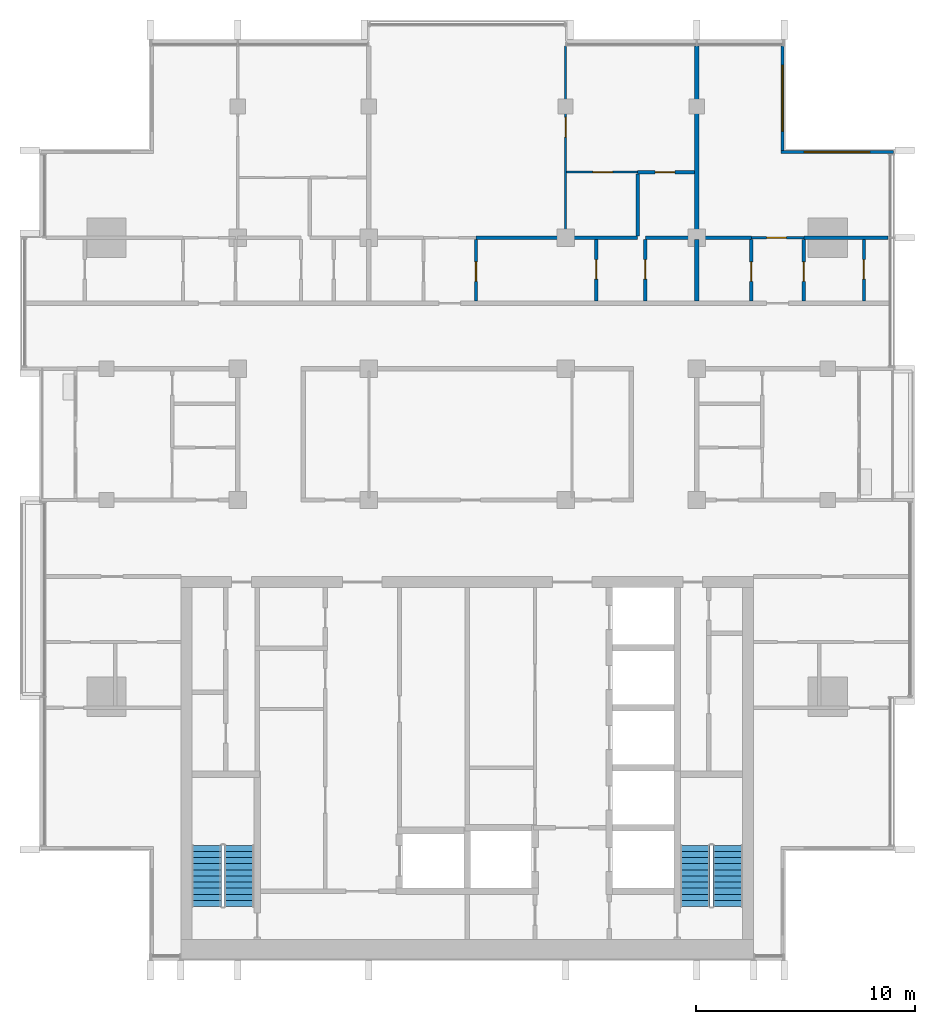
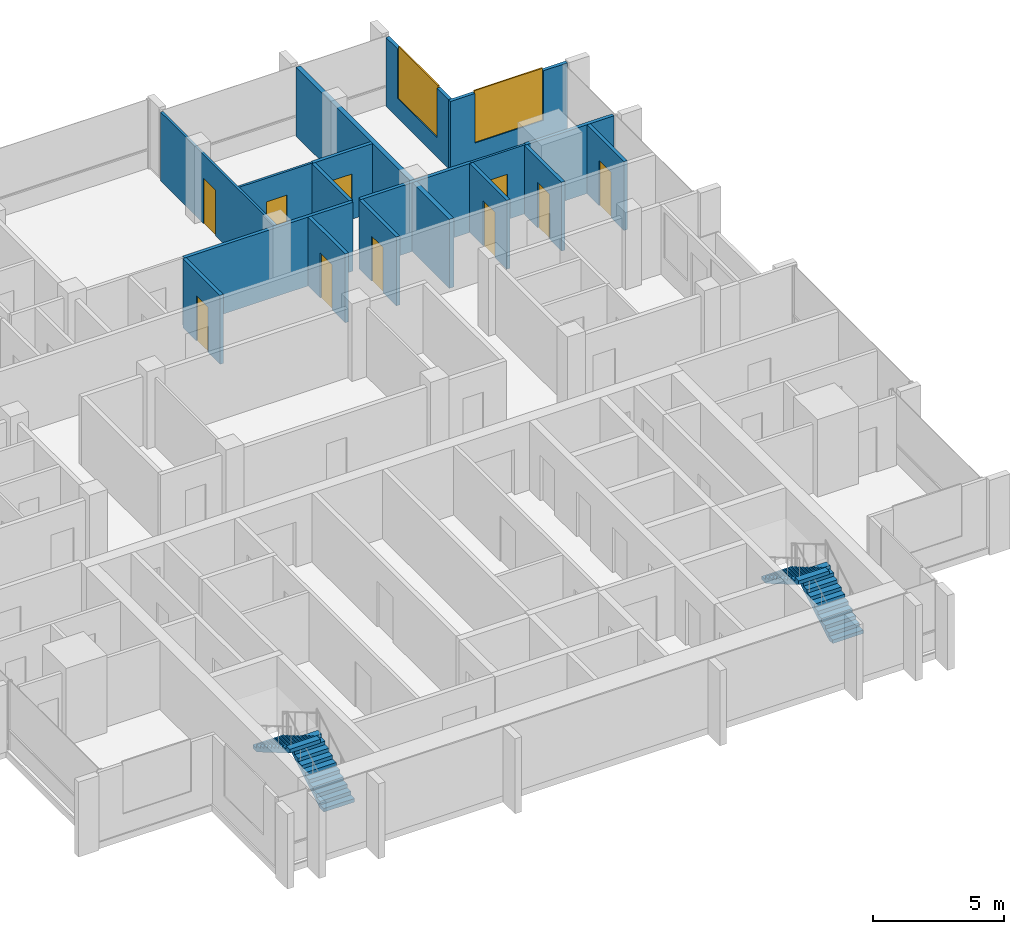
# One storey, part 11 of 16: 18 walls, 10 doors, 4 stair flights, 2 windows, 12 openings, 2 elements without a shape of their own.
"""IFC4 building model written with IfcOpenShell, lengths in metres."""

from ifc_helpers import new_model, si_unit, direction, frame, frame_2d, origin, place, context, subcontext, project, spatial, polyline, rectangle, outline, extrude, material, layer, layer_set, type_object, element, fill, aggregate, save


model = new_model("IFC4")

# Units and contexts
model_context = context("Model", 3, precision=1e-05, world=origin(), true_north=direction((0.0, 1.0)))
body_context = subcontext(model_context, "Body", "Model", "MODEL_VIEW")
ifc_project = project(units=[si_unit("LENGTHUNIT", "METRE"), si_unit("AREAUNIT", "SQUARE_METRE"), si_unit("VOLUMEUNIT", "CUBIC_METRE"), si_unit("PLANEANGLEUNIT", "RADIAN"), si_unit("MASSUNIT", "GRAM", prefix="KILO")], contexts=[model_context])

# Site, building, storey
site_placement = place(None, origin())
site = spatial("IfcSite", under=ifc_project, at=site_placement, CompositionType="ELEMENT")
building_placement = place(site_placement, origin())
building = spatial("IfcBuilding", under=site, at=building_placement, Name="Finial Court Residences", CompositionType="ELEMENT")
storey_placement = place(building_placement, frame((0.0, 0.0, 295.10009765625)))
storey = spatial("IfcBuildingStorey", under=building, at=storey_placement, Name="L75", CompositionType="ELEMENT", Elevation=295.10009765625)

# Walls
ifc_material_1 = material(Name="Gypsum board")
ifc_layer_1 = layer(ifc_material_1, 0.02490234375)
ifc_material_2 = material(Name="Acoustic mineral wool in double frame")
ifc_layer_2 = layer(ifc_material_2, 0.14990234375)
ifc_layer_3 = layer(ifc_material_1, 0.02490234375)
ifc_layer_set_1 = layer_set([ifc_layer_1, ifc_layer_2, ifc_layer_3], Name="Acoustic party wall 200, 1 hour")
wall_type_1 = type_object("IfcWallType", Name="Acoustic party wall 200, 1 hour", PredefinedType="PARTITIONING", material=ifc_layer_set_1)
wall_1_placement = place(storey_placement, frame((10.5, 4.60009765625, 0.0), z_axis=(0.0, 0.0, 1.0), x_axis=(0.0, 1.0, 0.0)))
element("IfcWall", 1, at=wall_1_placement, inside=storey, type_object=wall_type_1, Name="Partition L75-054", PredefinedType="PARTITIONING", context=body_context, shape_type="SweptSolid", body=[
    extrude(rectangle(XDim=2.824951171875, YDim=0.199951171875, at=frame_2d((1.41259765625, 0.0))), origin(), (0.0, 0.0, 1.0), 3.199951171875),
])
wall_2_placement = place(storey_placement, frame((10.5, 7.574951171875, 0.0), z_axis=(0.0, 0.0, 1.0), x_axis=(0.0, 1.0, 0.0)))
element("IfcWall", 2, at=wall_2_placement, inside=storey, type_object=wall_type_1, Name="Partition L75-055", PredefinedType="PARTITIONING", context=body_context, shape_type="SweptSolid", body=[
    extrude(rectangle(XDim=8.6875, YDim=0.199951171875, at=frame_2d((4.34375, 0.0))), origin(), (0.0, 0.0, 1.0), 3.199951171875),
])

# Wall, opening, door
ifc_layer_4 = layer(ifc_material_1, 0.012451171875)
ifc_material_3 = material(Name="Mineral wool in light-gauge frame")
ifc_layer_5 = layer(ifc_material_3, 0.074951171875)
ifc_layer_6 = layer(ifc_material_1, 0.012451171875)
ifc_layer_set_2 = layer_set([ifc_layer_4, ifc_layer_5, ifc_layer_6], Name="Gypsum board partition 100")
wall_type_2 = type_object("IfcWallType", Name="Gypsum board partition 100", PredefinedType="PARTITIONING", material=ifc_layer_set_2)
wall_3_placement = place(storey_placement, frame((13.0, 7.5, 0.0), z_axis=(0.0, 0.0, 1.0), x_axis=(1.0, 0.0, 0.0)))
wall_3 = element("IfcWall", 3, at=wall_3_placement, inside=storey, type_object=wall_type_2, Name="Partition L75-019", PredefinedType="PARTITIONING", context=body_context, shape_type="SweptSolid", body=[
    extrude(rectangle(XDim=2.39990234375, YDim=0.10009765625, at=frame_2d((1.199951171875, 0.0))), origin(), (0.0, 0.0, 1.0), 3.199951171875),
])
opening_1_placement = place(wall_3_placement, frame((0.699951171875, 0.0, 0.0)))
opening_1 = element("IfcOpeningElement", 4, at=opening_1_placement, cuts=wall_3, Name="Opening L75-D021", PredefinedType="OPENING", context=body_context, shape_type="SweptSolid", body=[
    extrude(rectangle(XDim=0.89990234375, YDim=2.10009765625, at=frame_2d((0.449951171875, 1.050048828125))), frame((0.0, 0.06005859375, 0.0), z_axis=(0.0, -1.0, 0.0), x_axis=(1.0, 0.0, 0.0)), (0.0, 0.0, 1.0), 0.1201171875),
])
ifc_material_4 = material(Name="Timber door leaf in timber frame", Category="wood")
door_type = type_object("IfcDoorType", Name="Door set 900 x 2100", OperationType="SINGLE_SWING_LEFT", PredefinedType="DOOR", material=ifc_material_4)
door_1_placement = place(opening_1_placement, origin())
door_1 = element("IfcDoor", 5, at=door_1_placement, inside=storey, type_object=door_type, Name="Door L75-D021", OperationType="SINGLE_SWING_RIGHT", OverallHeight=2.10009765625, OverallWidth=0.89990234375, PredefinedType="DOOR", context=body_context, shape_type="SweptSolid", body=[
    extrude(rectangle(XDim=0.89990234375, YDim=2.10009765625, at=frame_2d((0.449951171875, 1.050048828125))), frame((0.0, 0.02490234375, 0.0), z_axis=(0.0, -1.0, 0.0), x_axis=(1.0, 0.0, 0.0)), (0.0, 0.0, 1.0), 0.050048828125),
])
fill(opening_1, door_1)

wall_4_placement = place(storey_placement, frame((4.550048828125, 10.5, 0.0), z_axis=(0.0, 0.0, 1.0), x_axis=(1.0, 0.0, 0.0)))
wall_4 = element("IfcWall", 6, at=wall_4_placement, inside=storey, type_object=wall_type_2, Name="Partition L75-028", PredefinedType="PARTITIONING", context=body_context, shape_type="SweptSolid", body=[
    extrude(rectangle(XDim=3.25, YDim=0.10009765625, at=frame_2d((1.625, 0.0))), origin(), (0.0, 0.0, 1.0), 3.199951171875),
])
opening_2_placement = place(wall_4_placement, frame((1.199951171875, 0.0, 0.0)))
opening_2 = element("IfcOpeningElement", 7, at=opening_2_placement, cuts=wall_4, Name="Opening L75-D024", PredefinedType="OPENING", context=body_context, shape_type="SweptSolid", body=[
    extrude(rectangle(XDim=0.89990234375, YDim=2.10009765625, at=frame_2d((0.449951171875, 1.050048828125))), frame((0.0, 0.06005859375, 0.0), z_axis=(0.0, -1.0, 0.0), x_axis=(1.0, 0.0, 0.0)), (0.0, 0.0, 1.0), 0.1201171875),
])
door_2_placement = place(opening_2_placement, origin())
door_2 = element("IfcDoor", 8, at=door_2_placement, inside=storey, type_object=door_type, Name="Door L75-D024", OperationType="SINGLE_SWING_LEFT", OverallHeight=2.10009765625, OverallWidth=0.89990234375, PredefinedType="DOOR", context=body_context, shape_type="SweptSolid", body=[
    extrude(rectangle(XDim=0.89990234375, YDim=2.10009765625, at=frame_2d((0.449951171875, 1.050048828125))), frame((0.0, 0.02490234375, 0.0), z_axis=(0.0, -1.0, 0.0), x_axis=(1.0, 0.0, 0.0)), (0.0, 0.0, 1.0), 0.050048828125),
])
fill(opening_2, door_2)

wall_5_placement = place(storey_placement, frame((4.5, 7.574951171875, 0.0), z_axis=(0.0, 0.0, 1.0), x_axis=(0.0, 1.0, 0.0)))
wall_5 = element("IfcWall", 9, at=wall_5_placement, inside=storey, type_object=wall_type_2, Name="Partition L75-047", PredefinedType="PARTITIONING", context=body_context, shape_type="SweptSolid", body=[
    extrude(rectangle(XDim=8.6875, YDim=0.10009765625, at=frame_2d((4.34375, 0.0))), origin(), (0.0, 0.0, 1.0), 3.199951171875),
])
opening_3_placement = place(wall_5_placement, frame((4.52490234375, 0.0, 0.0)))
opening_3 = element("IfcOpeningElement", 10, at=opening_3_placement, cuts=wall_5, Name="Opening L75-D036", PredefinedType="OPENING", context=body_context, shape_type="SweptSolid", body=[
    extrude(rectangle(XDim=0.89990234375, YDim=2.10009765625, at=frame_2d((0.449951171875, 1.050048828125))), frame((0.0, 0.06005859375, 0.0), z_axis=(0.0, -1.0, 0.0), x_axis=(1.0, 0.0, 0.0)), (0.0, 0.0, 1.0), 0.1201171875),
])
door_3_placement = place(opening_3_placement, origin())
door_3 = element("IfcDoor", 11, at=door_3_placement, inside=storey, type_object=door_type, Name="Door L75-D036", OperationType="SINGLE_SWING_RIGHT", OverallHeight=2.10009765625, OverallWidth=0.89990234375, PredefinedType="DOOR", context=body_context, shape_type="SweptSolid", body=[
    extrude(rectangle(XDim=0.89990234375, YDim=2.10009765625, at=frame_2d((0.449951171875, 1.050048828125))), frame((0.0, 0.02490234375, 0.0), z_axis=(0.0, -1.0, 0.0), x_axis=(1.0, 0.0, 0.0)), (0.0, 0.0, 1.0), 0.050048828125),
])
fill(opening_3, door_3)

# Walls
ifc_material_5 = material(Name="Moisture-resistant gypsum board")
ifc_layer_7 = layer(ifc_material_5, 0.012451171875)
ifc_layer_8 = layer(ifc_material_3, 0.125)
ifc_layer_9 = layer(ifc_material_5, 0.012451171875)
ifc_layer_set_3 = layer_set([ifc_layer_7, ifc_layer_8, ifc_layer_9], Name="Gypsum board wet-area partition 150")
wall_type_3 = type_object("IfcWallType", Name="Gypsum board wet-area partition 150", PredefinedType="PARTITIONING", material=ifc_layer_set_3)
wall_6_placement = place(storey_placement, frame((0.39990234375, 7.5, 0.0), z_axis=(0.0, 0.0, 1.0), x_axis=(1.0, 0.0, 0.0)))
element("IfcWall", 12, at=wall_6_placement, inside=storey, type_object=wall_type_3, Name="Partition L75-023", PredefinedType="PARTITIONING", context=body_context, shape_type="SweptSolid", body=[
    extrude(rectangle(XDim=7.400146484375, YDim=0.14990234375, at=frame_2d((3.7001953125, 0.0))), origin(), (0.0, 0.0, 1.0), 3.199951171875),
])
wall_7_placement = place(storey_placement, frame((8.14990234375, 7.5, 0.0), z_axis=(0.0, 0.0, 1.0), x_axis=(1.0, 0.0, 0.0)))
element("IfcWall", 13, at=wall_7_placement, inside=storey, type_object=wall_type_3, Name="Partition L75-024", PredefinedType="PARTITIONING", context=body_context, shape_type="SweptSolid", body=[
    extrude(rectangle(XDim=4.85009765625, YDim=0.14990234375, at=frame_2d((2.425048828125, 0.0))), origin(), (0.0, 0.0, 1.0), 3.199951171875),
])
wall_8_placement = place(storey_placement, frame((15.39990234375, 7.5, 0.0), z_axis=(0.0, 0.0, 1.0), x_axis=(1.0, 0.0, 0.0)))
element("IfcWall", 14, at=wall_8_placement, inside=storey, type_object=wall_type_3, Name="Partition L75-025", PredefinedType="PARTITIONING", context=body_context, shape_type="SweptSolid", body=[
    extrude(rectangle(XDim=3.862548828125, YDim=0.14990234375, at=frame_2d((1.93115234375, 0.0))), origin(), (0.0, 0.0, 1.0), 3.199951171875),
])

# Wall, opening, door
wall_9_placement = place(storey_placement, frame((7.800048828125, 10.5, 0.0), z_axis=(0.0, 0.0, 1.0), x_axis=(1.0, 0.0, 0.0)))
wall_9 = element("IfcWall", 15, at=wall_9_placement, inside=storey, type_object=wall_type_3, Name="Partition L75-029", PredefinedType="PARTITIONING", context=body_context, shape_type="SweptSolid", body=[
    extrude(rectangle(XDim=2.599853515625, YDim=0.14990234375, at=frame_2d((1.2998046875, 0.0))), origin(), (0.0, 0.0, 1.0), 3.199951171875),
])
opening_4_placement = place(wall_9_placement, frame((0.800048828125, 0.0, 0.0)))
opening_4 = element("IfcOpeningElement", 16, at=opening_4_placement, cuts=wall_9, Name="Opening L75-D025", PredefinedType="OPENING", context=body_context, shape_type="SweptSolid", body=[
    extrude(rectangle(XDim=0.89990234375, YDim=2.10009765625, at=frame_2d((0.449951171875, 1.050048828125))), frame((0.0, 0.0849609375, 0.0), z_axis=(0.0, -1.0, 0.0), x_axis=(1.0, 0.0, 0.0)), (0.0, 0.0, 1.0), 0.169921875),
])
door_4_placement = place(opening_4_placement, origin())
door_4 = element("IfcDoor", 17, at=door_4_placement, inside=storey, type_object=door_type, Name="Door L75-D025", OperationType="SINGLE_SWING_LEFT", OverallHeight=2.10009765625, OverallWidth=0.89990234375, PredefinedType="DOOR", context=body_context, shape_type="SweptSolid", body=[
    extrude(rectangle(XDim=0.89990234375, YDim=2.10009765625, at=frame_2d((0.449951171875, 1.050048828125))), frame((0.0, 0.02490234375, 0.0), z_axis=(0.0, -1.0, 0.0), x_axis=(1.0, 0.0, 0.0)), (0.0, 0.0, 1.0), 0.050048828125),
])
fill(opening_4, door_4)

wall_10_placement = place(storey_placement, frame((0.39990234375, 4.60009765625, 0.0), z_axis=(0.0, 0.0, 1.0), x_axis=(0.0, 1.0, 0.0)))
wall_10 = element("IfcWall", 18, at=wall_10_placement, inside=storey, type_object=wall_type_3, Name="Partition L75-046", PredefinedType="PARTITIONING", context=body_context, shape_type="SweptSolid", body=[
    extrude(rectangle(XDim=2.824951171875, YDim=0.14990234375, at=frame_2d((1.41259765625, 0.0))), origin(), (0.0, 0.0, 1.0), 3.199951171875),
])
opening_5_placement = place(wall_10_placement, frame((0.89990234375, 0.0, 0.0)))
opening_5 = element("IfcOpeningElement", 19, at=opening_5_placement, cuts=wall_10, Name="Opening L75-D035", PredefinedType="OPENING", context=body_context, shape_type="SweptSolid", body=[
    extrude(rectangle(XDim=0.89990234375, YDim=2.10009765625, at=frame_2d((0.449951171875, 1.050048828125))), frame((0.0, 0.0849609375, 0.0), z_axis=(0.0, -1.0, 0.0), x_axis=(1.0, 0.0, 0.0)), (0.0, 0.0, 1.0), 0.169921875),
])
door_5_placement = place(opening_5_placement, origin())
door_5 = element("IfcDoor", 20, at=door_5_placement, inside=storey, type_object=door_type, Name="Door L75-D035", OperationType="SINGLE_SWING_RIGHT", OverallHeight=2.10009765625, OverallWidth=0.89990234375, PredefinedType="DOOR", context=body_context, shape_type="SweptSolid", body=[
    extrude(rectangle(XDim=0.89990234375, YDim=2.10009765625, at=frame_2d((0.449951171875, 1.050048828125))), frame((0.0, 0.02490234375, 0.0), z_axis=(0.0, -1.0, 0.0), x_axis=(1.0, 0.0, 0.0)), (0.0, 0.0, 1.0), 0.050048828125),
])
fill(opening_5, door_5)

wall_11_placement = place(storey_placement, frame((5.89990234375, 4.60009765625, 0.0), z_axis=(0.0, 0.0, 1.0), x_axis=(0.0, 1.0, 0.0)))
wall_11 = element("IfcWall", 21, at=wall_11_placement, inside=storey, type_object=wall_type_3, Name="Partition L75-049", PredefinedType="PARTITIONING", context=body_context, shape_type="SweptSolid", body=[
    extrude(rectangle(XDim=2.824951171875, YDim=0.14990234375, at=frame_2d((1.41259765625, 0.0))), origin(), (0.0, 0.0, 1.0), 3.199951171875),
])
opening_6_placement = place(wall_11_placement, frame((1.0, 0.0, 0.0)))
opening_6 = element("IfcOpeningElement", 22, at=opening_6_placement, cuts=wall_11, Name="Opening L75-D037", PredefinedType="OPENING", context=body_context, shape_type="SweptSolid", body=[
    extrude(rectangle(XDim=0.89990234375, YDim=2.10009765625, at=frame_2d((0.449951171875, 1.050048828125))), frame((0.0, 0.0849609375, 0.0), z_axis=(0.0, -1.0, 0.0), x_axis=(1.0, 0.0, 0.0)), (0.0, 0.0, 1.0), 0.169921875),
])
door_6_placement = place(opening_6_placement, origin())
door_6 = element("IfcDoor", 23, at=door_6_placement, inside=storey, type_object=door_type, Name="Door L75-D037", OperationType="SINGLE_SWING_LEFT", OverallHeight=2.10009765625, OverallWidth=0.89990234375, PredefinedType="DOOR", context=body_context, shape_type="SweptSolid", body=[
    extrude(rectangle(XDim=0.89990234375, YDim=2.10009765625, at=frame_2d((0.449951171875, 1.050048828125))), frame((0.0, 0.02490234375, 0.0), z_axis=(0.0, -1.0, 0.0), x_axis=(1.0, 0.0, 0.0)), (0.0, 0.0, 1.0), 0.050048828125),
])
fill(opening_6, door_6)

# Wall
wall_12_placement = place(storey_placement, frame((7.800048828125, 7.574951171875, 0.0), z_axis=(0.0, 0.0, 1.0), x_axis=(0.0, 1.0, 0.0)))
element("IfcWall", 24, at=wall_12_placement, inside=storey, type_object=wall_type_3, Name="Partition L75-051", PredefinedType="PARTITIONING", context=body_context, shape_type="SweptSolid", body=[
    extrude(rectangle(XDim=2.85009765625, YDim=0.14990234375, at=frame_2d((1.425048828125, 0.0))), origin(), (0.0, 0.0, 1.0), 3.199951171875),
])

# Wall, opening, door
wall_13_placement = place(storey_placement, frame((8.14990234375, 4.60009765625, 0.0), z_axis=(0.0, 0.0, 1.0), x_axis=(0.0, 1.0, 0.0)))
wall_13 = element("IfcWall", 25, at=wall_13_placement, inside=storey, type_object=wall_type_3, Name="Partition L75-052", PredefinedType="PARTITIONING", context=body_context, shape_type="SweptSolid", body=[
    extrude(rectangle(XDim=2.824951171875, YDim=0.14990234375, at=frame_2d((1.41259765625, 0.0))), origin(), (0.0, 0.0, 1.0), 3.199951171875),
])
opening_7_placement = place(wall_13_placement, frame((1.0, 0.0, 0.0)))
opening_7 = element("IfcOpeningElement", 26, at=opening_7_placement, cuts=wall_13, Name="Opening L75-D038", PredefinedType="OPENING", context=body_context, shape_type="SweptSolid", body=[
    extrude(rectangle(XDim=0.89990234375, YDim=2.10009765625, at=frame_2d((0.449951171875, 1.050048828125))), frame((0.0, 0.0849609375, 0.0), z_axis=(0.0, -1.0, 0.0), x_axis=(1.0, 0.0, 0.0)), (0.0, 0.0, 1.0), 0.169921875),
])
door_7_placement = place(opening_7_placement, origin())
door_7 = element("IfcDoor", 27, at=door_7_placement, inside=storey, type_object=door_type, Name="Door L75-D038", OperationType="SINGLE_SWING_RIGHT", OverallHeight=2.10009765625, OverallWidth=0.89990234375, PredefinedType="DOOR", context=body_context, shape_type="SweptSolid", body=[
    extrude(rectangle(XDim=0.89990234375, YDim=2.10009765625, at=frame_2d((0.449951171875, 1.050048828125))), frame((0.0, 0.02490234375, 0.0), z_axis=(0.0, -1.0, 0.0), x_axis=(1.0, 0.0, 0.0)), (0.0, 0.0, 1.0), 0.050048828125),
])
fill(opening_7, door_7)

wall_14_placement = place(storey_placement, frame((13.0, 4.60009765625, 0.0), z_axis=(0.0, 0.0, 1.0), x_axis=(0.0, 1.0, 0.0)))
wall_14 = element("IfcWall", 28, at=wall_14_placement, inside=storey, type_object=wall_type_3, Name="Partition L75-056", PredefinedType="PARTITIONING", context=body_context, shape_type="SweptSolid", body=[
    extrude(rectangle(XDim=2.824951171875, YDim=0.14990234375, at=frame_2d((1.41259765625, 0.0))), origin(), (0.0, 0.0, 1.0), 3.199951171875),
])
opening_8_placement = place(wall_14_placement, frame((0.89990234375, 0.0, 0.0)))
opening_8 = element("IfcOpeningElement", 29, at=opening_8_placement, cuts=wall_14, Name="Opening L75-D039", PredefinedType="OPENING", context=body_context, shape_type="SweptSolid", body=[
    extrude(rectangle(XDim=0.89990234375, YDim=2.10009765625, at=frame_2d((0.449951171875, 1.050048828125))), frame((0.0, 0.0849609375, 0.0), z_axis=(0.0, -1.0, 0.0), x_axis=(1.0, 0.0, 0.0)), (0.0, 0.0, 1.0), 0.169921875),
])
door_8_placement = place(opening_8_placement, origin())
door_8 = element("IfcDoor", 30, at=door_8_placement, inside=storey, type_object=door_type, Name="Door L75-D039", OperationType="SINGLE_SWING_RIGHT", OverallHeight=2.10009765625, OverallWidth=0.89990234375, PredefinedType="DOOR", context=body_context, shape_type="SweptSolid", body=[
    extrude(rectangle(XDim=0.89990234375, YDim=2.10009765625, at=frame_2d((0.449951171875, 1.050048828125))), frame((0.0, 0.02490234375, 0.0), z_axis=(0.0, -1.0, 0.0), x_axis=(1.0, 0.0, 0.0)), (0.0, 0.0, 1.0), 0.050048828125),
])
fill(opening_8, door_8)

wall_15_placement = place(storey_placement, frame((15.39990234375, 4.60009765625, 0.0), z_axis=(0.0, 0.0, 1.0), x_axis=(0.0, 1.0, 0.0)))
wall_15 = element("IfcWall", 31, at=wall_15_placement, inside=storey, type_object=wall_type_3, Name="Partition L75-059", PredefinedType="PARTITIONING", context=body_context, shape_type="SweptSolid", body=[
    extrude(rectangle(XDim=2.824951171875, YDim=0.14990234375, at=frame_2d((1.41259765625, 0.0))), origin(), (0.0, 0.0, 1.0), 3.199951171875),
])
opening_9_placement = place(wall_15_placement, frame((0.89990234375, 0.0, 0.0)))
opening_9 = element("IfcOpeningElement", 32, at=opening_9_placement, cuts=wall_15, Name="Opening L75-D042", PredefinedType="OPENING", context=body_context, shape_type="SweptSolid", body=[
    extrude(rectangle(XDim=0.89990234375, YDim=2.10009765625, at=frame_2d((0.449951171875, 1.050048828125))), frame((0.0, 0.0849609375, 0.0), z_axis=(0.0, -1.0, 0.0), x_axis=(1.0, 0.0, 0.0)), (0.0, 0.0, 1.0), 0.169921875),
])
door_9_placement = place(opening_9_placement, origin())
door_9 = element("IfcDoor", 33, at=door_9_placement, inside=storey, type_object=door_type, Name="Door L75-D042", OperationType="SINGLE_SWING_RIGHT", OverallHeight=2.10009765625, OverallWidth=0.89990234375, PredefinedType="DOOR", context=body_context, shape_type="SweptSolid", body=[
    extrude(rectangle(XDim=0.89990234375, YDim=2.10009765625, at=frame_2d((0.449951171875, 1.050048828125))), frame((0.0, 0.02490234375, 0.0), z_axis=(0.0, -1.0, 0.0), x_axis=(1.0, 0.0, 0.0)), (0.0, 0.0, 1.0), 0.050048828125),
])
fill(opening_9, door_9)

wall_16_placement = place(storey_placement, frame((18.14990234375, 4.60009765625, 0.0), z_axis=(0.0, 0.0, 1.0), x_axis=(0.0, 1.0, 0.0)))
wall_16 = element("IfcWall", 34, at=wall_16_placement, inside=storey, type_object=wall_type_3, Name="Partition L75-061", PredefinedType="PARTITIONING", context=body_context, shape_type="SweptSolid", body=[
    extrude(rectangle(XDim=2.824951171875, YDim=0.14990234375, at=frame_2d((1.41259765625, 0.0))), origin(), (0.0, 0.0, 1.0), 3.199951171875),
])
opening_10_placement = place(wall_16_placement, frame((1.0, 0.0, 0.0)))
opening_10 = element("IfcOpeningElement", 35, at=opening_10_placement, cuts=wall_16, Name="Opening L75-D043", PredefinedType="OPENING", context=body_context, shape_type="SweptSolid", body=[
    extrude(rectangle(XDim=0.89990234375, YDim=2.10009765625, at=frame_2d((0.449951171875, 1.050048828125))), frame((0.0, 0.0849609375, 0.0), z_axis=(0.0, -1.0, 0.0), x_axis=(1.0, 0.0, 0.0)), (0.0, 0.0, 1.0), 0.169921875),
])
door_10_placement = place(opening_10_placement, origin())
door_10 = element("IfcDoor", 36, at=door_10_placement, inside=storey, type_object=door_type, Name="Door L75-D043", OperationType="SINGLE_SWING_RIGHT", OverallHeight=2.10009765625, OverallWidth=0.89990234375, PredefinedType="DOOR", context=body_context, shape_type="SweptSolid", body=[
    extrude(rectangle(XDim=0.89990234375, YDim=2.10009765625, at=frame_2d((0.449951171875, 1.050048828125))), frame((0.0, 0.02490234375, 0.0), z_axis=(0.0, -1.0, 0.0), x_axis=(1.0, 0.0, 0.0)), (0.0, 0.0, 1.0), 0.050048828125),
])
fill(opening_10, door_10)

# Wall, opening, window
ifc_material_6 = material(Name="Natural limestone", Category="masonry")
ifc_layer_10 = layer(ifc_material_6, 0.14990234375)
ifc_layer_set_4 = layer_set([ifc_layer_10], Name="Limestone clad wall 150")
wall_type_4 = type_object("IfcWallType", Name="Limestone clad wall 150", PredefinedType="SOLIDWALL", material=ifc_layer_set_4)
wall_17_placement = place(storey_placement, frame((14.425048828125, 16.262451171875, 0.0), z_axis=(0.0, 0.0, 1.0), x_axis=(0.0, -1.0, 0.0)))
wall_17 = element("IfcWall", 37, at=wall_17_placement, inside=storey, type_object=wall_type_4, Name="E-L75-NWE18", PredefinedType="SOLIDWALL", context=body_context, shape_type="SweptSolid", body=[
    extrude(rectangle(XDim=4.762451171875, YDim=0.14990234375, at=frame_2d((2.38134765625, 0.0))), origin(), (0.0, 0.0, 1.0), 3.199951171875),
])
opening_11_placement = place(wall_17_placement, frame((0.881103515625, 0.0, 0.89990234375)))
opening_11 = element("IfcOpeningElement", 38, at=opening_11_placement, cuts=wall_17, Name="Opening WE75-07", PredefinedType="OPENING", context=body_context, shape_type="SweptSolid", body=[
    extrude(rectangle(XDim=3.0, YDim=2.39990234375, at=frame_2d((1.5, 1.199951171875))), frame((0.0, 0.0849609375, 0.0), z_axis=(0.0, -1.0, 0.0), x_axis=(1.0, 0.0, 0.0)), (0.0, 0.0, 1.0), 0.169921875),
])
ifc_material_7 = material(Name="Clear low-e glass", Category="glass")
window_type = type_object("IfcWindowType", Name="Corner window 3000 x 2400", PartitioningType="SINGLE_PANEL", PredefinedType="WINDOW", material=ifc_material_7)
window_1_placement = place(opening_11_placement, origin())
window_1 = element("IfcWindow", 39, at=window_1_placement, inside=storey, type_object=window_type, Name="E-L75-NWE18-W1", OverallHeight=2.39990234375, OverallWidth=3.0, PartitioningType="SINGLE_PANEL", PredefinedType="WINDOW", context=body_context, shape_type="SweptSolid", body=[
    extrude(rectangle(XDim=3.0, YDim=2.39990234375, at=frame_2d((1.5, 1.199951171875))), frame((0.0, 0.030029296875, 0.0), z_axis=(0.0, -1.0, 0.0), x_axis=(1.0, 0.0, 0.0)), (0.0, 0.0, 1.0), 0.06005859375),
])
fill(opening_11, window_1)

wall_18_placement = place(storey_placement, frame((14.35009765625, 11.425048828125, 0.0), z_axis=(0.0, 0.0, 1.0), x_axis=(1.0, 0.0, 0.0)))
wall_18 = element("IfcWall", 40, at=wall_18_placement, inside=storey, type_object=wall_type_4, Name="E-L75-NWN19", PredefinedType="SOLIDWALL", context=body_context, shape_type="SweptSolid", body=[
    extrude(rectangle(XDim=5.14990234375, YDim=0.14990234375, at=frame_2d((2.574951171875, 0.0))), origin(), (0.0, 0.0, 1.0), 3.199951171875),
])
opening_12_placement = place(wall_18_placement, frame((1.074951171875, 0.0, 0.89990234375)))
opening_12 = element("IfcOpeningElement", 41, at=opening_12_placement, cuts=wall_18, Name="Opening WE75-08", PredefinedType="OPENING", context=body_context, shape_type="SweptSolid", body=[
    extrude(rectangle(XDim=3.0, YDim=2.39990234375, at=frame_2d((1.5, 1.199951171875))), frame((0.0, 0.0849609375, 0.0), z_axis=(0.0, -1.0, 0.0), x_axis=(1.0, 0.0, 0.0)), (0.0, 0.0, 1.0), 0.169921875),
])
window_2_placement = place(opening_12_placement, origin())
window_2 = element("IfcWindow", 42, at=window_2_placement, inside=storey, type_object=window_type, Name="E-L75-NWN19-W1", OverallHeight=2.39990234375, OverallWidth=3.0, PartitioningType="SINGLE_PANEL", PredefinedType="WINDOW", context=body_context, shape_type="SweptSolid", body=[
    extrude(rectangle(XDim=3.0, YDim=2.39990234375, at=frame_2d((1.5, 1.199951171875))), frame((0.0, 0.030029296875, 0.0), z_axis=(0.0, -1.0, 0.0), x_axis=(1.0, 0.0, 0.0)), (0.0, 0.0, 1.0), 0.06005859375),
])
fill(opening_12, window_2)

# Stair, stair flights
ifc_material_8 = material(Name="Concrete C50/60", Category="concrete")
stair_type = type_object("IfcStairType", Name="Exit stair 22 risers of 163.6 mm", PredefinedType="HALF_TURN_STAIR", material=ifc_material_8)
stair_1_placement = place(storey_placement, origin())
stair_1 = element("IfcStair", 43, at=stair_1_placement, inside=storey, type_object=stair_type, Name="L75 Exit stair ST-1", PredefinedType="HALF_TURN_STAIR")
stair_flight_type = type_object("IfcStairFlightType", Name="Exit stair flight", PredefinedType="STRAIGHT", material=ifc_material_8)
stair_flight_1_placement = place(storey_placement, frame((-10.425048828125, -23.10009765625, 0.0), z_axis=(0.0, 0.0, 1.0), x_axis=(0.0, 1.0, 0.0)))
stair_flight_1 = element("IfcStairFlight", 44, at=stair_flight_1_placement, type_object=stair_flight_type, Name="ST-1 flight 1", NumberOfRisers=11, NumberOfTreads=10, PredefinedType="STRAIGHT", RiserHeight=0.163636364, TreadLength=0.28, context=body_context, shape_type="SweptSolid", body=[
    extrude(outline(polyline([(0.0, 0.0), (0.0, 0.16357421875), (0.280029296875, 0.16357421875), (0.280029296875, 0.327392578125), (0.56005859375, 0.327392578125), (0.56005859375, 0.490966796875), (0.840087890625, 0.490966796875), (0.840087890625, 0.654541015625), (1.1201171875, 0.654541015625), (1.1201171875, 0.818115234375), (1.39990234375, 0.818115234375), (1.39990234375, 0.98193359375), (1.679931640625, 0.98193359375), (1.679931640625, 1.1455078125), (1.9599609375, 1.1455078125), (1.9599609375, 1.30908203125), (2.239990234375, 1.30908203125), (2.239990234375, 1.47265625), (2.52001953125, 1.47265625), (2.52001953125, 1.636474609375), (2.800048828125, 1.636474609375), (2.800048828125, 1.800048828125), (2.800048828125, 1.462646484375), (0.297119140625, 0.0), (0.0, 0.0)])), frame((0.0, 0.675048828125, 0.0), z_axis=(0.0, -1.0, 0.0), x_axis=(1.0, 0.0, 0.0)), (0.0, 0.0, 1.0), 1.35009765625),
])
stair_flight_2_placement = place(storey_placement, frame((-11.925048828125, -20.300048828125, 1.7998046875), z_axis=(0.0, 0.0, 1.0), x_axis=(0.0, -1.0, 0.0)))
stair_flight_2 = element("IfcStairFlight", 45, at=stair_flight_2_placement, type_object=stair_flight_type, Name="ST-1 flight 2", NumberOfRisers=11, NumberOfTreads=10, PredefinedType="STRAIGHT", RiserHeight=0.163636364, TreadLength=0.28, context=body_context, shape_type="SweptSolid", body=[
    extrude(outline(polyline([(0.0, 0.0), (0.0, 0.16357421875), (0.280029296875, 0.16357421875), (0.280029296875, 0.327392578125), (0.56005859375, 0.327392578125), (0.56005859375, 0.490966796875), (0.840087890625, 0.490966796875), (0.840087890625, 0.654541015625), (1.1201171875, 0.654541015625), (1.1201171875, 0.818115234375), (1.39990234375, 0.818115234375), (1.39990234375, 0.98193359375), (1.679931640625, 0.98193359375), (1.679931640625, 1.1455078125), (1.9599609375, 1.1455078125), (1.9599609375, 1.30908203125), (2.239990234375, 1.30908203125), (2.239990234375, 1.47265625), (2.52001953125, 1.47265625), (2.52001953125, 1.636474609375), (2.800048828125, 1.636474609375), (2.800048828125, 1.800048828125), (2.800048828125, 1.462646484375), (0.297119140625, 0.0), (0.0, 0.0)])), frame((0.0, 0.675048828125, 0.0), z_axis=(0.0, -1.0, 0.0), x_axis=(1.0, 0.0, 0.0)), (0.0, 0.0, 1.0), 1.35009765625),
])
aggregate(stair_1, [stair_flight_1, stair_flight_2])

stair_2_placement = place(storey_placement, origin())
stair_2 = element("IfcStair", 46, at=stair_2_placement, inside=storey, type_object=stair_type, Name="L75 Exit stair ST-2", PredefinedType="HALF_TURN_STAIR")
stair_flight_3_placement = place(storey_placement, frame((11.925048828125, -23.10009765625, 0.0), z_axis=(0.0, 0.0, 1.0), x_axis=(0.0, 1.0, 0.0)))
stair_flight_3 = element("IfcStairFlight", 47, at=stair_flight_3_placement, type_object=stair_flight_type, Name="ST-2 flight 1", NumberOfRisers=11, NumberOfTreads=10, PredefinedType="STRAIGHT", RiserHeight=0.163636364, TreadLength=0.28, context=body_context, shape_type="SweptSolid", body=[
    extrude(outline(polyline([(0.0, 0.0), (0.0, 0.16357421875), (0.280029296875, 0.16357421875), (0.280029296875, 0.327392578125), (0.56005859375, 0.327392578125), (0.56005859375, 0.490966796875), (0.840087890625, 0.490966796875), (0.840087890625, 0.654541015625), (1.1201171875, 0.654541015625), (1.1201171875, 0.818115234375), (1.39990234375, 0.818115234375), (1.39990234375, 0.98193359375), (1.679931640625, 0.98193359375), (1.679931640625, 1.1455078125), (1.9599609375, 1.1455078125), (1.9599609375, 1.30908203125), (2.239990234375, 1.30908203125), (2.239990234375, 1.47265625), (2.52001953125, 1.47265625), (2.52001953125, 1.636474609375), (2.800048828125, 1.636474609375), (2.800048828125, 1.800048828125), (2.800048828125, 1.462646484375), (0.297119140625, 0.0), (0.0, 0.0)])), frame((0.0, 0.675048828125, 0.0), z_axis=(0.0, -1.0, 0.0), x_axis=(1.0, 0.0, 0.0)), (0.0, 0.0, 1.0), 1.35009765625),
])
stair_flight_4_placement = place(storey_placement, frame((10.425048828125, -20.300048828125, 1.7998046875), z_axis=(0.0, 0.0, 1.0), x_axis=(0.0, -1.0, 0.0)))
stair_flight_4 = element("IfcStairFlight", 48, at=stair_flight_4_placement, type_object=stair_flight_type, Name="ST-2 flight 2", NumberOfRisers=11, NumberOfTreads=10, PredefinedType="STRAIGHT", RiserHeight=0.163636364, TreadLength=0.28, context=body_context, shape_type="SweptSolid", body=[
    extrude(outline(polyline([(0.0, 0.0), (0.0, 0.16357421875), (0.280029296875, 0.16357421875), (0.280029296875, 0.327392578125), (0.56005859375, 0.327392578125), (0.56005859375, 0.490966796875), (0.840087890625, 0.490966796875), (0.840087890625, 0.654541015625), (1.1201171875, 0.654541015625), (1.1201171875, 0.818115234375), (1.39990234375, 0.818115234375), (1.39990234375, 0.98193359375), (1.679931640625, 0.98193359375), (1.679931640625, 1.1455078125), (1.9599609375, 1.1455078125), (1.9599609375, 1.30908203125), (2.239990234375, 1.30908203125), (2.239990234375, 1.47265625), (2.52001953125, 1.47265625), (2.52001953125, 1.636474609375), (2.800048828125, 1.636474609375), (2.800048828125, 1.800048828125), (2.800048828125, 1.462646484375), (0.297119140625, 0.0), (0.0, 0.0)])), frame((0.0, 0.675048828125, 0.0), z_axis=(0.0, -1.0, 0.0), x_axis=(1.0, 0.0, 0.0)), (0.0, 0.0, 1.0), 1.35009765625),
])
aggregate(stair_2, [stair_flight_3, stair_flight_4])

save(model, "model.ifc")
